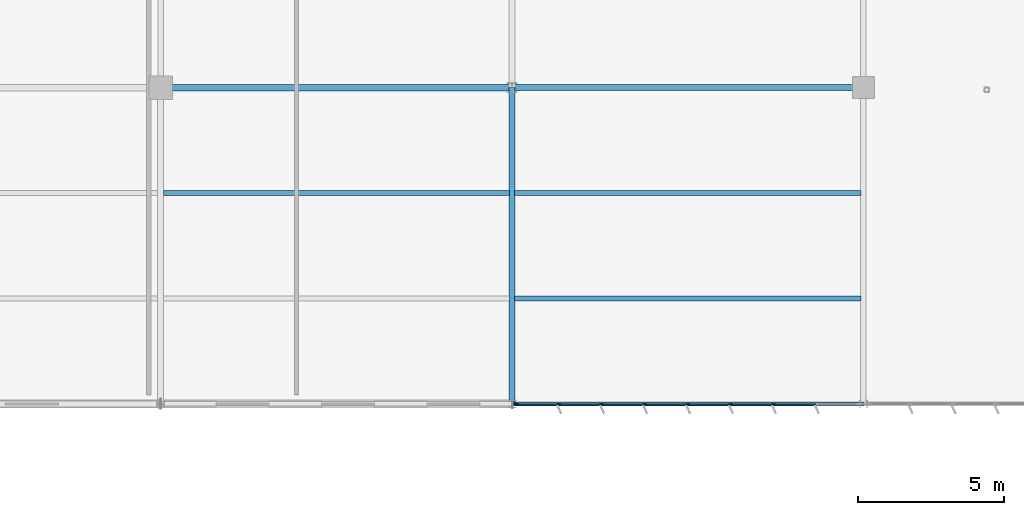
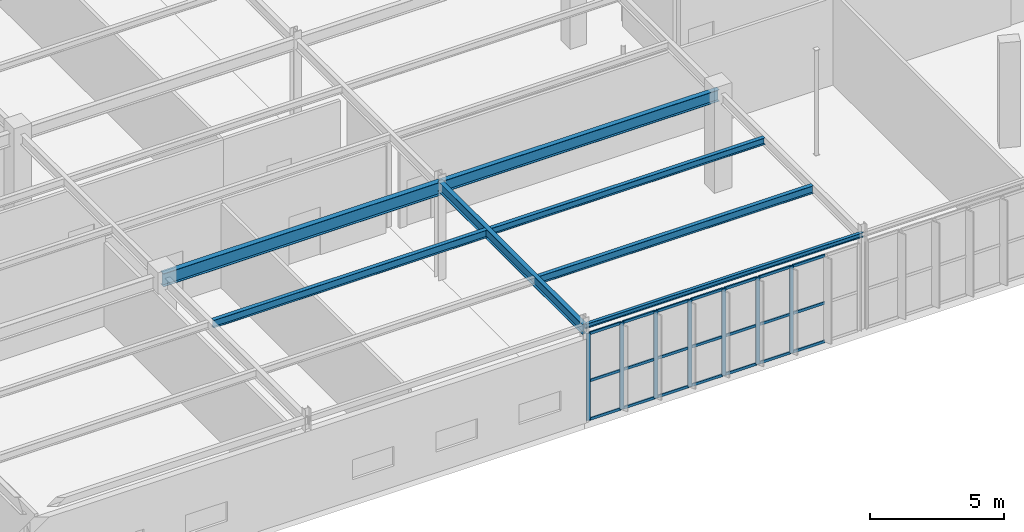
# One storey, part 68 of 199: 28 members, 7 beams, 1 element without a shape of its own.
"""IFC4 building model written with IfcOpenShell, lengths in metres."""

from ifc_helpers import new_model, si_unit, direction, frame, origin, origin_2d, place, context, subcontext, project, spatial, rectangle, i_section, extrude, material, layer, layer_set, material_profile, profile_set, type_object, element, aggregate, save


model = new_model("IFC4")

# Units and contexts
model_context = context("Model", 3, precision=1e-05, world=origin(), true_north=direction((0.0, 1.0)))
body_context = subcontext(model_context, "Body", "Model", "MODEL_VIEW")
ifc_project = project(units=[si_unit("LENGTHUNIT", "METRE"), si_unit("AREAUNIT", "SQUARE_METRE"), si_unit("VOLUMEUNIT", "CUBIC_METRE"), si_unit("PLANEANGLEUNIT", "RADIAN"), si_unit("MASSUNIT", "GRAM", prefix="KILO")], contexts=[model_context])

# Site, building, storey
site_placement = place(None, origin())
site = spatial("IfcSite", under=ifc_project, at=site_placement, CompositionType="ELEMENT")
building_placement = place(site_placement, origin())
building = spatial("IfcBuilding", under=site, at=building_placement, Name="Tarnwether General Hospital", CompositionType="ELEMENT")
storey_placement = place(building_placement, origin())
storey = spatial("IfcBuildingStorey", under=building, at=storey_placement, Name="L00", CompositionType="ELEMENT", Elevation=0.0)

# Beams
ifc_material_1 = material(Name="Steel Grade 350 (350 MPa)", Category="steel")
ifc_material_profile_1 = material_profile(ifc_material_1, i_section(OverallWidth=0.22802734375, OverallDepth=0.60205078125, WebThickness=0.010498046875, FlangeThickness=0.014892578125, at=origin_2d()), Name="610UB101")
ifc_profile_set_1 = profile_set([ifc_material_profile_1], Name="Steel Grade 350 (350 MPa)")
beam_type_1 = type_object("IfcBeamType", Name="BM-G05", PredefinedType="BEAM", material=ifc_profile_set_1)
beam_1_placement = place(storey_placement, frame((36.0, 10.800048828125, 4.14404296875), z_axis=(1.0, 0.0, 0.0), x_axis=(0.0, 1.0, 0.0)))
element("IfcBeam", 1, at=beam_1_placement, inside=storey, type_object=beam_type_1, Name="Primary Girder BMG-L00-3600_1080-4800_1080-0650", PredefinedType="BEAM", context=body_context, shape_type="SweptSolid", body=[
    extrude(i_section(OverallWidth=0.22802734375, OverallDepth=0.60205078125, WebThickness=0.010498046875, FlangeThickness=0.014892578125, at=origin_2d()), origin(), (0.0, 0.0, 1.0), 12.0),
])
ifc_material_2 = material(Name="Steel Grade 350 (350 MPa)", Category="steel")
ifc_material_profile_2 = material_profile(ifc_material_2, i_section(OverallWidth=0.208984375, OverallDepth=0.532958984375, WebThickness=0.01025390625, FlangeThickness=0.015625, at=origin_2d()), Name="530UB92.4")
ifc_profile_set_2 = profile_set([ifc_material_profile_2], Name="Steel Grade 350 (350 MPa)")
beam_type_2 = type_object("IfcBeamType", Name="BM-G06", PredefinedType="BEAM", material=ifc_profile_set_2)
beam_2_placement = place(storey_placement, frame((48.0, 10.800048828125, 4.178466796875), z_axis=(1.0, 0.0, 0.0), x_axis=(0.0, 1.0, 0.0)))
element("IfcBeam", 2, at=beam_2_placement, inside=storey, type_object=beam_type_2, Name="Primary Girder BMG-L00-4800_1080-6000_1080-0671", PredefinedType="BEAM", context=body_context, shape_type="SweptSolid", body=[
    extrude(i_section(OverallWidth=0.208984375, OverallDepth=0.532958984375, WebThickness=0.01025390625, FlangeThickness=0.015625, at=origin_2d()), origin(), (0.0, 0.0, 1.0), 12.0),
])
ifc_material_3 = material(Name="Steel Grade 350 (350 MPa)", Category="steel")
ifc_material_profile_3 = material_profile(ifc_material_3, i_section(OverallWidth=0.19091796875, OverallDepth=0.4599609375, WebThickness=0.010009765625, FlangeThickness=0.01611328125, at=origin_2d()), Name="460UB82.1")
ifc_profile_set_3 = profile_set([ifc_material_profile_3], Name="Steel Grade 350 (350 MPa)")
beam_type_3 = type_object("IfcBeamType", Name="BM-G08", PredefinedType="BEAM", material=ifc_profile_set_3)
beam_3_placement = place(storey_placement, frame((48.0, 0.0, 4.215087890625), z_axis=(0.0, 1.0, 0.0), x_axis=(-1.0, 0.0, 0.0)))
element("IfcBeam", 3, at=beam_3_placement, inside=storey, type_object=beam_type_3, Name="Primary Girder BMG-L00-4800_0-4800_1080-0670", PredefinedType="BEAM", context=body_context, shape_type="SweptSolid", body=[
    extrude(i_section(OverallWidth=0.19091796875, OverallDepth=0.4599609375, WebThickness=0.010009765625, FlangeThickness=0.01611328125, at=origin_2d()), origin(), (0.0, 0.0, 1.0), 10.800048828125),
])
ifc_material_4 = material(Name="Steel Grade 350 (350 MPa)", Category="steel")
ifc_material_profile_4 = material_profile(ifc_material_4, i_section(OverallWidth=0.1708984375, OverallDepth=0.35205078125, WebThickness=0.0068359375, FlangeThickness=0.009765625, at=origin_2d()), Name="360UB44.7")
ifc_profile_set_4 = profile_set([ifc_material_profile_4], Name="Steel Grade 350 (350 MPa)")
beam_type_4 = type_object("IfcBeamType", Name="BM-J06", PredefinedType="JOIST", material=ifc_profile_set_4)
beam_4_placement = place(storey_placement, frame((36.09912109375, 7.199951171875, 4.26904296875), z_axis=(1.0, 0.0, 0.0), x_axis=(0.0, 1.0, 0.0)))
element("IfcBeam", 4, at=beam_4_placement, inside=storey, type_object=beam_type_4, Name="Composite Floor Joist BMG-L00-3610_720-4791_720-0926", PredefinedType="JOIST", context=body_context, shape_type="SweptSolid", body=[
    extrude(i_section(OverallWidth=0.1708984375, OverallDepth=0.35205078125, WebThickness=0.0068359375, FlangeThickness=0.009765625, at=origin_2d()), origin(), (0.0, 0.0, 1.0), 11.810791015625),
])
beam_5_placement = place(storey_placement, frame((48.090087890625, 3.60009765625, 4.26904296875), z_axis=(1.0, 0.0, 0.0), x_axis=(0.0, 1.0, 0.0)))
element("IfcBeam", 5, at=beam_5_placement, inside=storey, type_object=beam_type_4, Name="Composite Floor Joist BMG-L00-4809_360-5991_360-0943", PredefinedType="JOIST", context=body_context, shape_type="SweptSolid", body=[
    extrude(i_section(OverallWidth=0.1708984375, OverallDepth=0.35205078125, WebThickness=0.0068359375, FlangeThickness=0.009765625, at=origin_2d()), origin(), (0.0, 0.0, 1.0), 11.82080078125),
])
ifc_material_5 = material(Name="Steel Grade 350 (350 MPa)", Category="steel")
ifc_material_profile_5 = material_profile(ifc_material_5, i_section(OverallWidth=0.1650390625, OverallDepth=0.303955078125, WebThickness=0.006103515625, FlangeThickness=0.01025390625, at=origin_2d()), Name="310UB40.4")
ifc_profile_set_5 = profile_set([ifc_material_profile_5], Name="Steel Grade 350 (350 MPa)")
beam_type_5 = type_object("IfcBeamType", Name="BM-J07", PredefinedType="JOIST", material=ifc_profile_set_5)
beam_6_placement = place(storey_placement, frame((48.090087890625, 7.199951171875, 4.29296875), z_axis=(1.0, 0.0, 0.0), x_axis=(0.0, 1.0, 0.0)))
element("IfcBeam", 6, at=beam_6_placement, inside=storey, type_object=beam_type_5, Name="Composite Floor Joist BMG-L00-4809_720-5991_720-0944", PredefinedType="JOIST", context=body_context, shape_type="SweptSolid", body=[
    extrude(i_section(OverallWidth=0.1650390625, OverallDepth=0.303955078125, WebThickness=0.006103515625, FlangeThickness=0.01025390625, at=origin_2d()), origin(), (0.0, 0.0, 1.0), 11.82080078125),
])
ifc_material_6 = material(Name="Steel Grade 350 (350 MPa)", Category="steel")
ifc_material_profile_6 = material_profile(ifc_material_6, i_section(OverallWidth=0.133056640625, OverallDepth=0.202880859375, WebThickness=0.005859375, FlangeThickness=0.0078125, at=origin_2d()), Name="200UB25.4")
ifc_profile_set_6 = profile_set([ifc_material_profile_6], Name="Steel Grade 350 (350 MPa)")
beam_type_6 = type_object("IfcBeamType", Name="BM-SP5", PredefinedType="SPANDREL", material=ifc_profile_set_6)
beam_7_placement = place(storey_placement, frame((48.0, 0.0, 4.343505859375), z_axis=(1.0, 0.0, 0.0), x_axis=(0.0, 1.0, 0.0)))
element("IfcBeam", 7, at=beam_7_placement, inside=storey, type_object=beam_type_6, Name="Primary Girder BMG-L00-4800_0-6000_0-0669", PredefinedType="SPANDREL", context=body_context, shape_type="SweptSolid", body=[
    extrude(i_section(OverallWidth=0.133056640625, OverallDepth=0.202880859375, WebThickness=0.005859375, FlangeThickness=0.0078125, at=origin_2d()), origin(), (0.0, 0.0, 1.0), 12.0),
])

# Curtain wall, members
ifc_material_7 = material(Name="Anodised aluminium", Category="aluminium")
ifc_layer = layer(ifc_material_7, 0.159912109375)
ifc_layer_set = layer_set([ifc_layer], Name="Anodised aluminium")
curtain_wall_type = type_object("IfcCurtainWallType", Name="CW-13", PredefinedType="NOTDEFINED", material=ifc_layer_set)
curtain_wall_placement = place(storey_placement, origin())
curtain_wall = element("IfcCurtainWall", 8, at=curtain_wall_placement, inside=storey, type_object=curtain_wall_type, Name="Curtain Wall CWG-L00-599_0-0283", PredefinedType="NOTDEFINED")
ifc_material_8 = material(Name="Anodised aluminium", Category="aluminium")
ifc_material_profile_7 = material_profile(ifc_material_8, rectangle(XDim=0.06005859375, YDim=0.159912109375, at=origin_2d()), Name="ALU-MUL-60x160")
ifc_profile_set_7 = profile_set([ifc_material_profile_7], Name="Anodised aluminium")
member_type_1 = type_object("IfcMemberType", Name="CW-ML1", PredefinedType="MULLION", material=ifc_profile_set_7)
member_1_placement = place(storey_placement, frame((56.9326171875, 0.0, 0.0), z_axis=(0.0, 0.0, 1.0), x_axis=(0.0, -1.0, 0.0)))
member_1 = element("IfcMember", 9, at=member_1_placement, type_object=member_type_1, Name="CW-13 mullion 3", PredefinedType="MULLION", context=body_context, shape_type="SweptSolid", body=[
    extrude(rectangle(XDim=0.06005859375, YDim=0.159912109375, at=origin_2d()), origin(), (0.0, 0.0, 1.0), 3.969970703125),
])
member_2_placement = place(storey_placement, frame((55.46630859375, 0.0, 0.0), z_axis=(0.0, 0.0, 1.0), x_axis=(0.0, -1.0, 0.0)))
member_2 = element("IfcMember", 10, at=member_2_placement, type_object=member_type_1, Name="CW-13 mullion 4", PredefinedType="MULLION", context=body_context, shape_type="SweptSolid", body=[
    extrude(rectangle(XDim=0.06005859375, YDim=0.159912109375, at=origin_2d()), origin(), (0.0, 0.0, 1.0), 3.969970703125),
])
member_3_placement = place(storey_placement, frame((54.0, 0.0, 0.0), z_axis=(0.0, 0.0, 1.0), x_axis=(0.0, -1.0, 0.0)))
member_3 = element("IfcMember", 11, at=member_3_placement, type_object=member_type_1, Name="CW-13 mullion 5", PredefinedType="MULLION", context=body_context, shape_type="SweptSolid", body=[
    extrude(rectangle(XDim=0.06005859375, YDim=0.159912109375, at=origin_2d()), origin(), (0.0, 0.0, 1.0), 3.969970703125),
])
member_4_placement = place(storey_placement, frame((52.53369140625, 0.0, 0.0), z_axis=(0.0, 0.0, 1.0), x_axis=(0.0, -1.0, 0.0)))
member_4 = element("IfcMember", 12, at=member_4_placement, type_object=member_type_1, Name="CW-13 mullion 6", PredefinedType="MULLION", context=body_context, shape_type="SweptSolid", body=[
    extrude(rectangle(XDim=0.06005859375, YDim=0.159912109375, at=origin_2d()), origin(), (0.0, 0.0, 1.0), 3.969970703125),
])
member_5_placement = place(storey_placement, frame((51.0673828125, 0.0, 0.0), z_axis=(0.0, 0.0, 1.0), x_axis=(0.0, -1.0, 0.0)))
member_5 = element("IfcMember", 13, at=member_5_placement, type_object=member_type_1, Name="CW-13 mullion 7", PredefinedType="MULLION", context=body_context, shape_type="SweptSolid", body=[
    extrude(rectangle(XDim=0.06005859375, YDim=0.159912109375, at=origin_2d()), origin(), (0.0, 0.0, 1.0), 3.969970703125),
])
member_6_placement = place(storey_placement, frame((49.601318359375, 0.0, 0.0), z_axis=(0.0, 0.0, 1.0), x_axis=(0.0, -1.0, 0.0)))
member_6 = element("IfcMember", 14, at=member_6_placement, type_object=member_type_1, Name="CW-13 mullion 8", PredefinedType="MULLION", context=body_context, shape_type="SweptSolid", body=[
    extrude(rectangle(XDim=0.06005859375, YDim=0.159912109375, at=origin_2d()), origin(), (0.0, 0.0, 1.0), 3.969970703125),
])
member_7_placement = place(storey_placement, frame((48.1650390625, 0.0, 0.0), z_axis=(0.0, 0.0, 1.0), x_axis=(0.0, -1.0, 0.0)))
member_7 = element("IfcMember", 15, at=member_7_placement, type_object=member_type_1, Name="CW-13 mullion 9", PredefinedType="MULLION", context=body_context, shape_type="SweptSolid", body=[
    extrude(rectangle(XDim=0.06005859375, YDim=0.159912109375, at=origin_2d()), origin(), (0.0, 0.0, 1.0), 3.969970703125),
])
ifc_material_9 = material(Name="Anodised aluminium", Category="aluminium")
ifc_material_profile_8 = material_profile(ifc_material_9, rectangle(XDim=0.06005859375, YDim=0.1201171875, at=origin_2d()), Name="ALU-TRN-60x120")
ifc_profile_set_8 = profile_set([ifc_material_profile_8], Name="Anodised aluminium")
member_type_2 = type_object("IfcMemberType", Name="CW-TR1", PredefinedType="USERDEFINED", material=ifc_profile_set_8)
member_8_placement = place(storey_placement, frame((58.36865234375, 0.0, 0.030029296875), z_axis=(-1.0, 0.0, 0.0), x_axis=(0.0, -1.0, 0.0)))
member_8 = element("IfcMember", 16, at=member_8_placement, type_object=member_type_2, Name="CW-13 transom 2.1", ObjectType="TRANSOM", PredefinedType="USERDEFINED", context=body_context, shape_type="SweptSolid", body=[
    extrude(rectangle(XDim=0.06005859375, YDim=0.1201171875, at=origin_2d()), origin(), (0.0, 0.0, 1.0), 1.40625),
])
member_9_placement = place(storey_placement, frame((58.36865234375, 0.0, 1.78662109375), z_axis=(-1.0, 0.0, 0.0), x_axis=(0.0, -1.0, 0.0)))
member_9 = element("IfcMember", 17, at=member_9_placement, type_object=member_type_2, Name="CW-13 transom 2.2", ObjectType="TRANSOM", PredefinedType="USERDEFINED", context=body_context, shape_type="SweptSolid", body=[
    extrude(rectangle(XDim=0.06005859375, YDim=0.1201171875, at=origin_2d()), origin(), (0.0, 0.0, 1.0), 1.40625),
])
member_10_placement = place(storey_placement, frame((58.36865234375, 0.0, 3.93994140625), z_axis=(-1.0, 0.0, 0.0), x_axis=(0.0, -1.0, 0.0)))
member_10 = element("IfcMember", 18, at=member_10_placement, type_object=member_type_2, Name="CW-13 transom 2.3", ObjectType="TRANSOM", PredefinedType="USERDEFINED", context=body_context, shape_type="SweptSolid", body=[
    extrude(rectangle(XDim=0.06005859375, YDim=0.1201171875, at=origin_2d()), origin(), (0.0, 0.0, 1.0), 1.40625),
])
member_11_placement = place(storey_placement, frame((56.902587890625, 0.0, 0.030029296875), z_axis=(-1.0, 0.0, 0.0), x_axis=(0.0, -1.0, 0.0)))
member_11 = element("IfcMember", 19, at=member_11_placement, type_object=member_type_2, Name="CW-13 transom 3.1", ObjectType="TRANSOM", PredefinedType="USERDEFINED", context=body_context, shape_type="SweptSolid", body=[
    extrude(rectangle(XDim=0.06005859375, YDim=0.1201171875, at=origin_2d()), origin(), (0.0, 0.0, 1.0), 1.40625),
])
member_12_placement = place(storey_placement, frame((56.902587890625, 0.0, 1.78662109375), z_axis=(-1.0, 0.0, 0.0), x_axis=(0.0, -1.0, 0.0)))
member_12 = element("IfcMember", 20, at=member_12_placement, type_object=member_type_2, Name="CW-13 transom 3.2", ObjectType="TRANSOM", PredefinedType="USERDEFINED", context=body_context, shape_type="SweptSolid", body=[
    extrude(rectangle(XDim=0.06005859375, YDim=0.1201171875, at=origin_2d()), origin(), (0.0, 0.0, 1.0), 1.40625),
])
member_13_placement = place(storey_placement, frame((56.902587890625, 0.0, 3.93994140625), z_axis=(-1.0, 0.0, 0.0), x_axis=(0.0, -1.0, 0.0)))
member_13 = element("IfcMember", 21, at=member_13_placement, type_object=member_type_2, Name="CW-13 transom 3.3", ObjectType="TRANSOM", PredefinedType="USERDEFINED", context=body_context, shape_type="SweptSolid", body=[
    extrude(rectangle(XDim=0.06005859375, YDim=0.1201171875, at=origin_2d()), origin(), (0.0, 0.0, 1.0), 1.40625),
])
member_14_placement = place(storey_placement, frame((55.436279296875, 0.0, 0.030029296875), z_axis=(-1.0, 0.0, 0.0), x_axis=(0.0, -1.0, 0.0)))
member_14 = element("IfcMember", 22, at=member_14_placement, type_object=member_type_2, Name="CW-13 transom 4.1", ObjectType="TRANSOM", PredefinedType="USERDEFINED", context=body_context, shape_type="SweptSolid", body=[
    extrude(rectangle(XDim=0.06005859375, YDim=0.1201171875, at=origin_2d()), origin(), (0.0, 0.0, 1.0), 1.40625),
])
member_15_placement = place(storey_placement, frame((55.436279296875, 0.0, 1.78662109375), z_axis=(-1.0, 0.0, 0.0), x_axis=(0.0, -1.0, 0.0)))
member_15 = element("IfcMember", 23, at=member_15_placement, type_object=member_type_2, Name="CW-13 transom 4.2", ObjectType="TRANSOM", PredefinedType="USERDEFINED", context=body_context, shape_type="SweptSolid", body=[
    extrude(rectangle(XDim=0.06005859375, YDim=0.1201171875, at=origin_2d()), origin(), (0.0, 0.0, 1.0), 1.40625),
])
member_16_placement = place(storey_placement, frame((55.436279296875, 0.0, 3.93994140625), z_axis=(-1.0, 0.0, 0.0), x_axis=(0.0, -1.0, 0.0)))
member_16 = element("IfcMember", 24, at=member_16_placement, type_object=member_type_2, Name="CW-13 transom 4.3", ObjectType="TRANSOM", PredefinedType="USERDEFINED", context=body_context, shape_type="SweptSolid", body=[
    extrude(rectangle(XDim=0.06005859375, YDim=0.1201171875, at=origin_2d()), origin(), (0.0, 0.0, 1.0), 1.40625),
])
member_17_placement = place(storey_placement, frame((53.969970703125, 0.0, 0.030029296875), z_axis=(-1.0, 0.0, 0.0), x_axis=(0.0, -1.0, 0.0)))
member_17 = element("IfcMember", 25, at=member_17_placement, type_object=member_type_2, Name="CW-13 transom 5.1", ObjectType="TRANSOM", PredefinedType="USERDEFINED", context=body_context, shape_type="SweptSolid", body=[
    extrude(rectangle(XDim=0.06005859375, YDim=0.1201171875, at=origin_2d()), origin(), (0.0, 0.0, 1.0), 1.40625),
])
member_18_placement = place(storey_placement, frame((53.969970703125, 0.0, 1.78662109375), z_axis=(-1.0, 0.0, 0.0), x_axis=(0.0, -1.0, 0.0)))
member_18 = element("IfcMember", 26, at=member_18_placement, type_object=member_type_2, Name="CW-13 transom 5.2", ObjectType="TRANSOM", PredefinedType="USERDEFINED", context=body_context, shape_type="SweptSolid", body=[
    extrude(rectangle(XDim=0.06005859375, YDim=0.1201171875, at=origin_2d()), origin(), (0.0, 0.0, 1.0), 1.40625),
])
member_19_placement = place(storey_placement, frame((53.969970703125, 0.0, 3.93994140625), z_axis=(-1.0, 0.0, 0.0), x_axis=(0.0, -1.0, 0.0)))
member_19 = element("IfcMember", 27, at=member_19_placement, type_object=member_type_2, Name="CW-13 transom 5.3", ObjectType="TRANSOM", PredefinedType="USERDEFINED", context=body_context, shape_type="SweptSolid", body=[
    extrude(rectangle(XDim=0.06005859375, YDim=0.1201171875, at=origin_2d()), origin(), (0.0, 0.0, 1.0), 1.40625),
])
member_20_placement = place(storey_placement, frame((52.503662109375, 0.0, 0.030029296875), z_axis=(-1.0, 0.0, 0.0), x_axis=(0.0, -1.0, 0.0)))
member_20 = element("IfcMember", 28, at=member_20_placement, type_object=member_type_2, Name="CW-13 transom 6.1", ObjectType="TRANSOM", PredefinedType="USERDEFINED", context=body_context, shape_type="SweptSolid", body=[
    extrude(rectangle(XDim=0.06005859375, YDim=0.1201171875, at=origin_2d()), origin(), (0.0, 0.0, 1.0), 1.40625),
])
member_21_placement = place(storey_placement, frame((52.503662109375, 0.0, 1.78662109375), z_axis=(-1.0, 0.0, 0.0), x_axis=(0.0, -1.0, 0.0)))
member_21 = element("IfcMember", 29, at=member_21_placement, type_object=member_type_2, Name="CW-13 transom 6.2", ObjectType="TRANSOM", PredefinedType="USERDEFINED", context=body_context, shape_type="SweptSolid", body=[
    extrude(rectangle(XDim=0.06005859375, YDim=0.1201171875, at=origin_2d()), origin(), (0.0, 0.0, 1.0), 1.40625),
])
member_22_placement = place(storey_placement, frame((52.503662109375, 0.0, 3.93994140625), z_axis=(-1.0, 0.0, 0.0), x_axis=(0.0, -1.0, 0.0)))
member_22 = element("IfcMember", 30, at=member_22_placement, type_object=member_type_2, Name="CW-13 transom 6.3", ObjectType="TRANSOM", PredefinedType="USERDEFINED", context=body_context, shape_type="SweptSolid", body=[
    extrude(rectangle(XDim=0.06005859375, YDim=0.1201171875, at=origin_2d()), origin(), (0.0, 0.0, 1.0), 1.40625),
])
member_23_placement = place(storey_placement, frame((51.03759765625, 0.0, 0.030029296875), z_axis=(-1.0, 0.0, 0.0), x_axis=(0.0, -1.0, 0.0)))
member_23 = element("IfcMember", 31, at=member_23_placement, type_object=member_type_2, Name="CW-13 transom 7.1", ObjectType="TRANSOM", PredefinedType="USERDEFINED", context=body_context, shape_type="SweptSolid", body=[
    extrude(rectangle(XDim=0.06005859375, YDim=0.1201171875, at=origin_2d()), origin(), (0.0, 0.0, 1.0), 1.40625),
])
member_24_placement = place(storey_placement, frame((51.03759765625, 0.0, 1.78662109375), z_axis=(-1.0, 0.0, 0.0), x_axis=(0.0, -1.0, 0.0)))
member_24 = element("IfcMember", 32, at=member_24_placement, type_object=member_type_2, Name="CW-13 transom 7.2", ObjectType="TRANSOM", PredefinedType="USERDEFINED", context=body_context, shape_type="SweptSolid", body=[
    extrude(rectangle(XDim=0.06005859375, YDim=0.1201171875, at=origin_2d()), origin(), (0.0, 0.0, 1.0), 1.40625),
])
member_25_placement = place(storey_placement, frame((51.03759765625, 0.0, 3.93994140625), z_axis=(-1.0, 0.0, 0.0), x_axis=(0.0, -1.0, 0.0)))
member_25 = element("IfcMember", 33, at=member_25_placement, type_object=member_type_2, Name="CW-13 transom 7.3", ObjectType="TRANSOM", PredefinedType="USERDEFINED", context=body_context, shape_type="SweptSolid", body=[
    extrude(rectangle(XDim=0.06005859375, YDim=0.1201171875, at=origin_2d()), origin(), (0.0, 0.0, 1.0), 1.40625),
])
member_26_placement = place(storey_placement, frame((49.5712890625, 0.0, 0.030029296875), z_axis=(-1.0, 0.0, 0.0), x_axis=(0.0, -1.0, 0.0)))
member_26 = element("IfcMember", 34, at=member_26_placement, type_object=member_type_2, Name="CW-13 transom 8.1", ObjectType="TRANSOM", PredefinedType="USERDEFINED", context=body_context, shape_type="SweptSolid", body=[
    extrude(rectangle(XDim=0.06005859375, YDim=0.1201171875, at=origin_2d()), origin(), (0.0, 0.0, 1.0), 1.376220703125),
])
member_27_placement = place(storey_placement, frame((49.5712890625, 0.0, 1.78662109375), z_axis=(-1.0, 0.0, 0.0), x_axis=(0.0, -1.0, 0.0)))
member_27 = element("IfcMember", 35, at=member_27_placement, type_object=member_type_2, Name="CW-13 transom 8.2", ObjectType="TRANSOM", PredefinedType="USERDEFINED", context=body_context, shape_type="SweptSolid", body=[
    extrude(rectangle(XDim=0.06005859375, YDim=0.1201171875, at=origin_2d()), origin(), (0.0, 0.0, 1.0), 1.376220703125),
])
member_28_placement = place(storey_placement, frame((49.5712890625, 0.0, 3.93994140625), z_axis=(-1.0, 0.0, 0.0), x_axis=(0.0, -1.0, 0.0)))
member_28 = element("IfcMember", 36, at=member_28_placement, type_object=member_type_2, Name="CW-13 transom 8.3", ObjectType="TRANSOM", PredefinedType="USERDEFINED", context=body_context, shape_type="SweptSolid", body=[
    extrude(rectangle(XDim=0.06005859375, YDim=0.1201171875, at=origin_2d()), origin(), (0.0, 0.0, 1.0), 1.376220703125),
])
aggregate(curtain_wall, [member_1, member_2, member_3, member_4, member_5, member_6, member_7, member_8, member_9, member_10, member_11, member_12, member_13, member_14, member_15, member_16, member_17, member_18, member_19, member_20, member_21, member_22, member_23, member_24, member_25, member_26, member_27, member_28])

save(model, "model.ifc")
